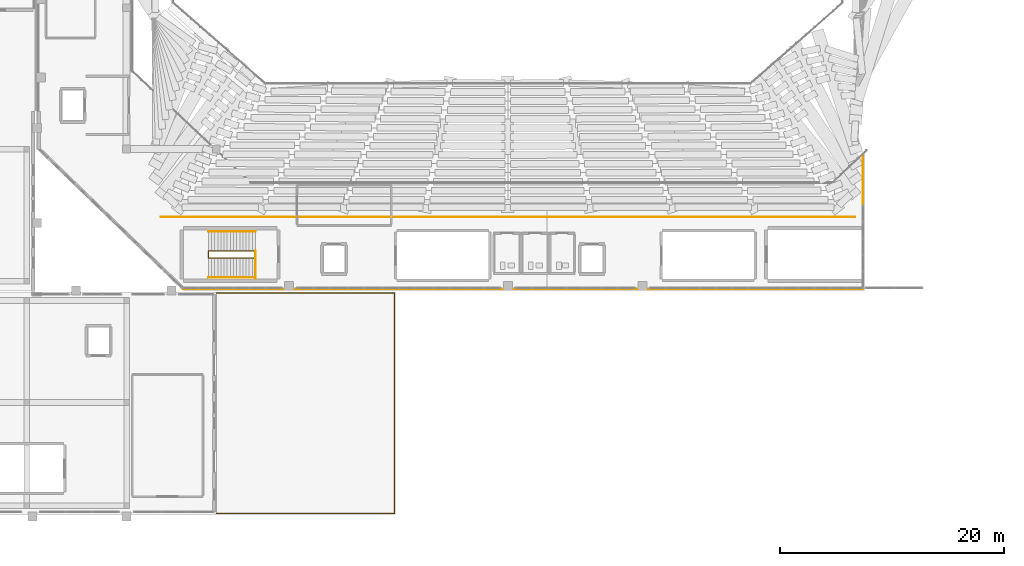
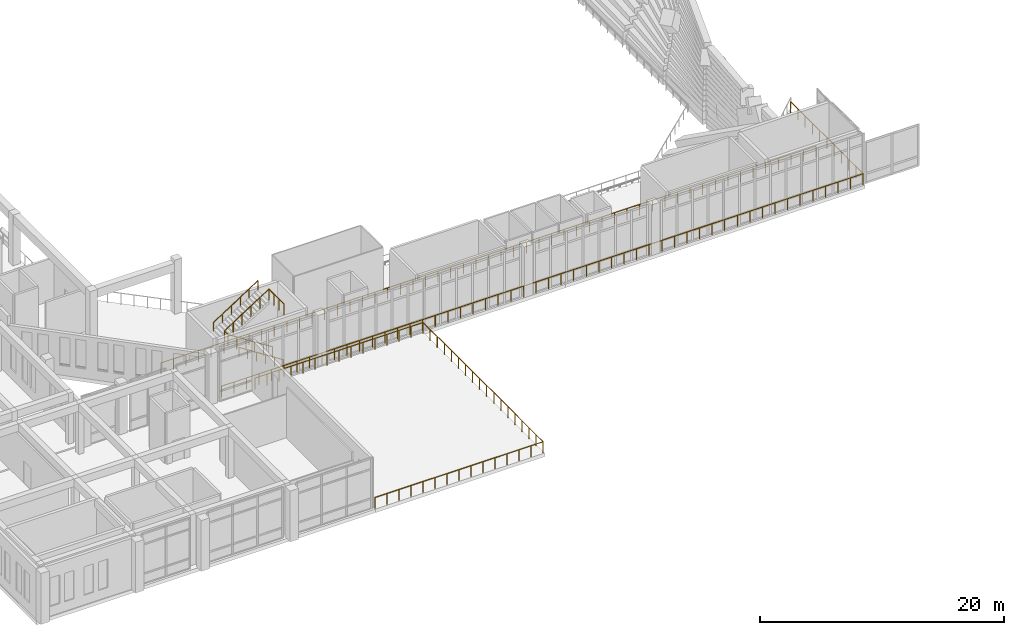
# One storey, part 50 of 55: 7 railings.
"""IFC4 building model written with IfcOpenShell, lengths in metres."""

from ifc_helpers import new_model, si_unit, derived_unit, direction, frame, origin, origin_2d, place, context, subcontext, project, spatial, circle, extrude, material, type_object, element, save


model = new_model("IFC4")

# Units and contexts
model_context = context("Model", 3, precision=1e-05, world=origin(), true_north=direction((0.0, 1.0)))
body_context = subcontext(model_context, "Body", "Model", "MODEL_VIEW")
ifc_project = project(units=[si_unit("LENGTHUNIT", "METRE"), si_unit("AREAUNIT", "SQUARE_METRE"), si_unit("VOLUMEUNIT", "CUBIC_METRE"), si_unit("PLANEANGLEUNIT", "RADIAN"), si_unit("MASSUNIT", "GRAM", prefix="KILO"), derived_unit("THERMALTRANSMITTANCEUNIT", [(si_unit("MASSUNIT", "GRAM", prefix="KILO"), 1), (si_unit("TIMEUNIT", "SECOND"), -3), (si_unit("THERMODYNAMICTEMPERATUREUNIT", "KELVIN"), -1)])], contexts=[model_context])

# Site, building, storey
site_placement = place(None, origin())
site = spatial("IfcSite", under=ifc_project, at=site_placement, CompositionType="ELEMENT")
building_placement = place(site_placement, origin())
building = spatial("IfcBuilding", under=site, at=building_placement, Name="Valcora Ridge Arena", CompositionType="ELEMENT")
storey_placement = place(building_placement, frame((0.0, 0.0, 21.0)))
storey = spatial("IfcBuildingStorey", under=building, at=storey_placement, Name="L04", CompositionType="ELEMENT", Elevation=21.0)

# Railings
ifc_material = material(Name="Galvanized painted steel ASTM A500 Grade B", Category="steel")
railing_type_1 = type_object("IfcRailingType", Name="TY-RAILING-GRD-STAIR-1120", PredefinedType="GUARDRAIL", material=ifc_material)
railing_1_placement = place(storey_placement, frame((35.489990234375, 22.89990234375, 0.0)))
element("IfcRailing", 1, at=railing_1_placement, inside=storey, type_object=railing_type_1, Name="GRD-STAIR-1120 RAL-SG-0011", PredefinedType="GUARDRAIL", context=body_context, shape_type="SweptSolid", body=[
    extrude(circle(Radius=0.02392578125, at=origin_2d()), frame((0.0, 0.0, 1.09619140625), z_axis=(-0.841180064094, 0.0, 0.540755119968), x_axis=(0.0, -1.0, 0.0)), (0.0, 0.0, 1.0), 4.992919921875),
    extrude(circle(Radius=0.02392578125, at=origin_2d()), frame((-4.199951171875, 0.0, 3.7958984375), z_axis=(0.0, 1.0, 0.0), x_axis=(-1.0, 0.0, 0.0)), (0.0, 0.0, 1.0), 0.60009765625),
    extrude(circle(Radius=0.02392578125, at=origin_2d()), frame((-4.199951171875, 0.60009765625, 3.7958984375), z_axis=(0.841180064094, 0.0, 0.540755119968), x_axis=(0.0, 1.0, 0.0)), (0.0, 0.0, 1.0), 4.992919921875),
    extrude(circle(Radius=0.02099609375, at=origin_2d()), origin(), (0.0, 0.0, 1.0), 1.072021484375),
    extrude(circle(Radius=0.02099609375, at=origin_2d()), frame((-0.840087890625, 0.0, 0.5400390625)), (0.0, 0.0, 1.0), 1.072021484375),
    extrude(circle(Radius=0.02099609375, at=origin_2d()), frame((-1.679931640625, 0.0, 1.080078125)), (0.0, 0.0, 1.0), 1.072021484375),
    extrude(circle(Radius=0.02099609375, at=origin_2d()), frame((-2.52001953125, 0.0, 1.619873046875)), (0.0, 0.0, 1.0), 1.072021484375),
    extrude(circle(Radius=0.02099609375, at=origin_2d()), frame((-3.35986328125, 0.0, 2.159912109375)), (0.0, 0.0, 1.0), 1.072021484375),
    extrude(circle(Radius=0.02099609375, at=origin_2d()), frame((-4.199951171875, 0.0, 2.699951171875)), (0.0, 0.0, 1.0), 1.072021484375),
    extrude(circle(Radius=0.02099609375, at=origin_2d()), frame((-4.199951171875, 0.60009765625, 2.699951171875)), (0.0, 0.0, 1.0), 1.072021484375),
    extrude(circle(Radius=0.02099609375, at=origin_2d()), frame((-3.35986328125, 0.60009765625, 3.239990234375)), (0.0, 0.0, 1.0), 1.072021484375),
    extrude(circle(Radius=0.02099609375, at=origin_2d()), frame((-2.52001953125, 0.60009765625, 3.780029296875)), (0.0, 0.0, 1.0), 1.072021484375),
    extrude(circle(Radius=0.02099609375, at=origin_2d()), frame((-1.679931640625, 0.60009765625, 4.31982421875)), (0.0, 0.0, 1.0), 1.072021484375),
    extrude(circle(Radius=0.02099609375, at=origin_2d()), frame((-0.840087890625, 0.60009765625, 4.85986328125)), (0.0, 0.0, 1.0), 1.072021484375),
    extrude(circle(Radius=0.02099609375, at=origin_2d()), frame((0.0, 0.60009765625, 5.39990234375)), (0.0, 0.0, 1.0), 1.072021484375),
])
railing_2_placement = place(storey_placement, frame((35.489990234375, 21.050048828125, 5.39990234375)))
element("IfcRailing", 2, at=railing_2_placement, inside=storey, type_object=railing_type_1, Name="GRD-STAIR-1120 RAL-SG-0012", PredefinedType="GUARDRAIL", context=body_context, shape_type="SweptSolid", body=[
    extrude(circle(Radius=0.02392578125, at=origin_2d()), frame((0.0, 0.0, 1.09619140625), z_axis=(0.0, 1.0, 0.0), x_axis=(-1.0, 0.0, 0.0)), (0.0, 0.0, 1.0), 2.449951171875),
    extrude(circle(Radius=0.02099609375, at=origin_2d()), origin(), (0.0, 0.0, 1.0), 1.072021484375),
    extrude(circle(Radius=0.02099609375, at=origin_2d()), frame((0.0, 0.816650390625, 0.0)), (0.0, 0.0, 1.0), 1.072021484375),
    extrude(circle(Radius=0.02099609375, at=origin_2d()), frame((0.0, 1.63330078125, 0.0)), (0.0, 0.0, 1.0), 1.072021484375),
    extrude(circle(Radius=0.02099609375, at=origin_2d()), frame((0.0, 2.449951171875, 0.0)), (0.0, 0.0, 1.0), 1.072021484375),
])
railing_type_2 = type_object("IfcRailingType", Name="TY-RAILING-GRD-TERR-1120", PredefinedType="GUARDRAIL", material=ifc_material)
railing_3_placement = place(storey_placement, frame((32.0, 0.10009765625, 0.0)))
element("IfcRailing", 3, at=railing_3_placement, inside=storey, type_object=railing_type_2, Name="GRD-TERR-1120 RAL-TR-0003", PredefinedType="GUARDRAIL", context=body_context, shape_type="SweptSolid", body=[
    extrude(circle(Radius=0.02392578125, at=origin_2d()), frame((0.0, 0.0, 1.09619140625), z_axis=(1.0, 0.0, 0.0), x_axis=(0.0, 1.0, 0.0)), (0.0, 0.0, 1.0), 15.89990234375),
    extrude(circle(Radius=0.02392578125, at=origin_2d()), frame((15.89990234375, 0.0, 1.09619140625), z_axis=(0.0, 1.0, 0.0), x_axis=(-1.0, 0.0, 0.0)), (0.0, 0.0, 1.0), 19.64990234375),
    extrude(circle(Radius=0.02392578125, at=origin_2d()), frame((15.89990234375, 19.64990234375, 1.09619140625), z_axis=(-1.0, 0.0, 0.0), x_axis=(0.0, -1.0, 0.0)), (0.0, 0.0, 1.0), 15.89990234375),
    extrude(circle(Radius=0.02099609375, at=origin_2d()), origin(), (0.0, 0.0, 1.0), 1.072021484375),
    extrude(circle(Radius=0.02099609375, at=origin_2d()), frame((1.1357421875, 0.0, 0.0)), (0.0, 0.0, 1.0), 1.072021484375),
    extrude(circle(Radius=0.02099609375, at=origin_2d()), frame((2.271484375, 0.0, 0.0)), (0.0, 0.0, 1.0), 1.072021484375),
    extrude(circle(Radius=0.02099609375, at=origin_2d()), frame((3.4072265625, 0.0, 0.0)), (0.0, 0.0, 1.0), 1.072021484375),
    extrude(circle(Radius=0.02099609375, at=origin_2d()), frame((4.542724609375, 0.0, 0.0)), (0.0, 0.0, 1.0), 1.072021484375),
    extrude(circle(Radius=0.02099609375, at=origin_2d()), frame((5.678466796875, 0.0, 0.0)), (0.0, 0.0, 1.0), 1.072021484375),
    extrude(circle(Radius=0.02099609375, at=origin_2d()), frame((6.814208984375, 0.0, 0.0)), (0.0, 0.0, 1.0), 1.072021484375),
    extrude(circle(Radius=0.02099609375, at=origin_2d()), frame((7.949951171875, 0.0, 0.0)), (0.0, 0.0, 1.0), 1.072021484375),
    extrude(circle(Radius=0.02099609375, at=origin_2d()), frame((9.085693359375, 0.0, 0.0)), (0.0, 0.0, 1.0), 1.072021484375),
    extrude(circle(Radius=0.02099609375, at=origin_2d()), frame((10.221435546875, 0.0, 0.0)), (0.0, 0.0, 1.0), 1.072021484375),
    extrude(circle(Radius=0.02099609375, at=origin_2d()), frame((11.357177734375, 0.0, 0.0)), (0.0, 0.0, 1.0), 1.072021484375),
    extrude(circle(Radius=0.02099609375, at=origin_2d()), frame((12.49267578125, 0.0, 0.0)), (0.0, 0.0, 1.0), 1.072021484375),
    extrude(circle(Radius=0.02099609375, at=origin_2d()), frame((13.62841796875, 0.0, 0.0)), (0.0, 0.0, 1.0), 1.072021484375),
    extrude(circle(Radius=0.02099609375, at=origin_2d()), frame((14.76416015625, 0.0, 0.0)), (0.0, 0.0, 1.0), 1.072021484375),
    extrude(circle(Radius=0.02099609375, at=origin_2d()), frame((15.89990234375, 0.0, 0.0)), (0.0, 0.0, 1.0), 1.072021484375),
    extrude(circle(Radius=0.02099609375, at=origin_2d()), frame((15.89990234375, 1.15576171875, 0.0)), (0.0, 0.0, 1.0), 1.072021484375),
    extrude(circle(Radius=0.02099609375, at=origin_2d()), frame((15.89990234375, 2.311767578125, 0.0)), (0.0, 0.0, 1.0), 1.072021484375),
    extrude(circle(Radius=0.02099609375, at=origin_2d()), frame((15.89990234375, 3.467529296875, 0.0)), (0.0, 0.0, 1.0), 1.072021484375),
    extrude(circle(Radius=0.02099609375, at=origin_2d()), frame((15.89990234375, 4.62353515625, 0.0)), (0.0, 0.0, 1.0), 1.072021484375),
    extrude(circle(Radius=0.02099609375, at=origin_2d()), frame((15.89990234375, 5.779296875, 0.0)), (0.0, 0.0, 1.0), 1.072021484375),
    extrude(circle(Radius=0.02099609375, at=origin_2d()), frame((15.89990234375, 6.935302734375, 0.0)), (0.0, 0.0, 1.0), 1.072021484375),
    extrude(circle(Radius=0.02099609375, at=origin_2d()), frame((15.89990234375, 8.091064453125, 0.0)), (0.0, 0.0, 1.0), 1.072021484375),
    extrude(circle(Radius=0.02099609375, at=origin_2d()), frame((15.89990234375, 9.2470703125, 0.0)), (0.0, 0.0, 1.0), 1.072021484375),
    extrude(circle(Radius=0.02099609375, at=origin_2d()), frame((15.89990234375, 10.40283203125, 0.0)), (0.0, 0.0, 1.0), 1.072021484375),
    extrude(circle(Radius=0.02099609375, at=origin_2d()), frame((15.89990234375, 11.558837890625, 0.0)), (0.0, 0.0, 1.0), 1.072021484375),
    extrude(circle(Radius=0.02099609375, at=origin_2d()), frame((15.89990234375, 12.714599609375, 0.0)), (0.0, 0.0, 1.0), 1.072021484375),
    extrude(circle(Radius=0.02099609375, at=origin_2d()), frame((15.89990234375, 13.87060546875, 0.0)), (0.0, 0.0, 1.0), 1.072021484375),
    extrude(circle(Radius=0.02099609375, at=origin_2d()), frame((15.89990234375, 15.0263671875, 0.0)), (0.0, 0.0, 1.0), 1.072021484375),
    extrude(circle(Radius=0.02099609375, at=origin_2d()), frame((15.89990234375, 16.182373046875, 0.0)), (0.0, 0.0, 1.0), 1.072021484375),
    extrude(circle(Radius=0.02099609375, at=origin_2d()), frame((15.89990234375, 17.338134765625, 0.0)), (0.0, 0.0, 1.0), 1.072021484375),
    extrude(circle(Radius=0.02099609375, at=origin_2d()), frame((15.89990234375, 18.494140625, 0.0)), (0.0, 0.0, 1.0), 1.072021484375),
    extrude(circle(Radius=0.02099609375, at=origin_2d()), frame((15.89990234375, 19.64990234375, 0.0)), (0.0, 0.0, 1.0), 1.072021484375),
    extrude(circle(Radius=0.02099609375, at=origin_2d()), frame((14.76416015625, 19.64990234375, 0.0)), (0.0, 0.0, 1.0), 1.072021484375),
    extrude(circle(Radius=0.02099609375, at=origin_2d()), frame((13.62841796875, 19.64990234375, 0.0)), (0.0, 0.0, 1.0), 1.072021484375),
    extrude(circle(Radius=0.02099609375, at=origin_2d()), frame((12.49267578125, 19.64990234375, 0.0)), (0.0, 0.0, 1.0), 1.072021484375),
    extrude(circle(Radius=0.02099609375, at=origin_2d()), frame((11.357177734375, 19.64990234375, 0.0)), (0.0, 0.0, 1.0), 1.072021484375),
    extrude(circle(Radius=0.02099609375, at=origin_2d()), frame((10.221435546875, 19.64990234375, 0.0)), (0.0, 0.0, 1.0), 1.072021484375),
    extrude(circle(Radius=0.02099609375, at=origin_2d()), frame((9.085693359375, 19.64990234375, 0.0)), (0.0, 0.0, 1.0), 1.072021484375),
    extrude(circle(Radius=0.02099609375, at=origin_2d()), frame((7.949951171875, 19.64990234375, 0.0)), (0.0, 0.0, 1.0), 1.072021484375),
    extrude(circle(Radius=0.02099609375, at=origin_2d()), frame((6.814208984375, 19.64990234375, 0.0)), (0.0, 0.0, 1.0), 1.072021484375),
    extrude(circle(Radius=0.02099609375, at=origin_2d()), frame((5.678466796875, 19.64990234375, 0.0)), (0.0, 0.0, 1.0), 1.072021484375),
    extrude(circle(Radius=0.02099609375, at=origin_2d()), frame((4.542724609375, 19.64990234375, 0.0)), (0.0, 0.0, 1.0), 1.072021484375),
    extrude(circle(Radius=0.02099609375, at=origin_2d()), frame((3.4072265625, 19.64990234375, 0.0)), (0.0, 0.0, 1.0), 1.072021484375),
    extrude(circle(Radius=0.02099609375, at=origin_2d()), frame((2.271484375, 19.64990234375, 0.0)), (0.0, 0.0, 1.0), 1.072021484375),
    extrude(circle(Radius=0.02099609375, at=origin_2d()), frame((1.1357421875, 19.64990234375, 0.0)), (0.0, 0.0, 1.0), 1.072021484375),
    extrude(circle(Radius=0.02099609375, at=origin_2d()), frame((0.0, 19.64990234375, 0.0)), (0.0, 0.0, 1.0), 1.072021484375),
])
railing_type_3 = type_object("IfcRailingType", Name="TY-RAILING-GRD-VOID-1120", PredefinedType="GUARDRAIL", material=ifc_material)
railing_4_placement = place(storey_placement, frame((27.050048828125, 26.550048828125, -0.8798828125)))
element("IfcRailing", 4, at=railing_4_placement, inside=storey, type_object=railing_type_3, Name="GRD-VOID-1120 RAL-BW-0025", PredefinedType="GUARDRAIL", context=body_context, shape_type="SweptSolid", body=[
    extrude(circle(Radius=0.02392578125, at=origin_2d()), frame((0.0, 0.0, 1.09619140625), z_axis=(1.0, 0.0, 0.0), x_axis=(0.0, 1.0, 0.0)), (0.0, 0.0, 1.0), 61.89990234375),
    extrude(circle(Radius=0.02099609375, at=origin_2d()), origin(), (0.0, 0.0, 1.0), 1.072021484375),
    extrude(circle(Radius=0.02099609375, at=origin_2d()), frame((1.1904296875, 0.0, 0.0)), (0.0, 0.0, 1.0), 1.072021484375),
    extrude(circle(Radius=0.02099609375, at=origin_2d()), frame((2.380859375, 0.0, 0.0)), (0.0, 0.0, 1.0), 1.072021484375),
    extrude(circle(Radius=0.02099609375, at=origin_2d()), frame((3.571044921875, 0.0, 0.0)), (0.0, 0.0, 1.0), 1.072021484375),
    extrude(circle(Radius=0.02099609375, at=origin_2d()), frame((4.761474609375, 0.0, 0.0)), (0.0, 0.0, 1.0), 1.072021484375),
    extrude(circle(Radius=0.02099609375, at=origin_2d()), frame((5.951904296875, 0.0, 0.0)), (0.0, 0.0, 1.0), 1.072021484375),
    extrude(circle(Radius=0.02099609375, at=origin_2d()), frame((7.142333984375, 0.0, 0.0)), (0.0, 0.0, 1.0), 1.072021484375),
    extrude(circle(Radius=0.02099609375, at=origin_2d()), frame((8.332763671875, 0.0, 0.0)), (0.0, 0.0, 1.0), 1.072021484375),
    extrude(circle(Radius=0.02099609375, at=origin_2d()), frame((9.52294921875, 0.0, 0.0)), (0.0, 0.0, 1.0), 1.072021484375),
    extrude(circle(Radius=0.02099609375, at=origin_2d()), frame((10.71337890625, 0.0, 0.0)), (0.0, 0.0, 1.0), 1.072021484375),
    extrude(circle(Radius=0.02099609375, at=origin_2d()), frame((11.90380859375, 0.0, 0.0)), (0.0, 0.0, 1.0), 1.072021484375),
    extrude(circle(Radius=0.02099609375, at=origin_2d()), frame((13.09423828125, 0.0, 0.0)), (0.0, 0.0, 1.0), 1.072021484375),
    extrude(circle(Radius=0.02099609375, at=origin_2d()), frame((14.28466796875, 0.0, 0.0)), (0.0, 0.0, 1.0), 1.072021484375),
    extrude(circle(Radius=0.02099609375, at=origin_2d()), frame((15.47509765625, 0.0, 0.0)), (0.0, 0.0, 1.0), 1.072021484375),
    extrude(circle(Radius=0.02099609375, at=origin_2d()), frame((16.665283203125, 0.0, 0.0)), (0.0, 0.0, 1.0), 1.072021484375),
    extrude(circle(Radius=0.02099609375, at=origin_2d()), frame((17.855712890625, 0.0, 0.0)), (0.0, 0.0, 1.0), 1.072021484375),
    extrude(circle(Radius=0.02099609375, at=origin_2d()), frame((19.046142578125, 0.0, 0.0)), (0.0, 0.0, 1.0), 1.072021484375),
    extrude(circle(Radius=0.02099609375, at=origin_2d()), frame((20.236572265625, 0.0, 0.0)), (0.0, 0.0, 1.0), 1.072021484375),
    extrude(circle(Radius=0.02099609375, at=origin_2d()), frame((21.427001953125, 0.0, 0.0)), (0.0, 0.0, 1.0), 1.072021484375),
    extrude(circle(Radius=0.02099609375, at=origin_2d()), frame((22.6171875, 0.0, 0.0)), (0.0, 0.0, 1.0), 1.072021484375),
    extrude(circle(Radius=0.02099609375, at=origin_2d()), frame((23.8076171875, 0.0, 0.0)), (0.0, 0.0, 1.0), 1.072021484375),
    extrude(circle(Radius=0.02099609375, at=origin_2d()), frame((24.998046875, 0.0, 0.0)), (0.0, 0.0, 1.0), 1.072021484375),
    extrude(circle(Radius=0.02099609375, at=origin_2d()), frame((26.1884765625, 0.0, 0.0)), (0.0, 0.0, 1.0), 1.072021484375),
    extrude(circle(Radius=0.02099609375, at=origin_2d()), frame((27.37890625, 0.0, 0.0)), (0.0, 0.0, 1.0), 1.072021484375),
    extrude(circle(Radius=0.02099609375, at=origin_2d()), frame((28.569091796875, 0.0, 0.0)), (0.0, 0.0, 1.0), 1.072021484375),
    extrude(circle(Radius=0.02099609375, at=origin_2d()), frame((29.759521484375, 0.0, 0.0)), (0.0, 0.0, 1.0), 1.072021484375),
    extrude(circle(Radius=0.02099609375, at=origin_2d()), frame((30.949951171875, 0.0, 0.0)), (0.0, 0.0, 1.0), 1.072021484375),
    extrude(circle(Radius=0.02099609375, at=origin_2d()), frame((32.140380859375, 0.0, 0.0)), (0.0, 0.0, 1.0), 1.072021484375),
    extrude(circle(Radius=0.02099609375, at=origin_2d()), frame((33.330810546875, 0.0, 0.0)), (0.0, 0.0, 1.0), 1.072021484375),
    extrude(circle(Radius=0.02099609375, at=origin_2d()), frame((34.52099609375, 0.0, 0.0)), (0.0, 0.0, 1.0), 1.072021484375),
    extrude(circle(Radius=0.02099609375, at=origin_2d()), frame((35.71142578125, 0.0, 0.0)), (0.0, 0.0, 1.0), 1.072021484375),
    extrude(circle(Radius=0.02099609375, at=origin_2d()), frame((36.90185546875, 0.0, 0.0)), (0.0, 0.0, 1.0), 1.072021484375),
    extrude(circle(Radius=0.02099609375, at=origin_2d()), frame((38.09228515625, 0.0, 0.0)), (0.0, 0.0, 1.0), 1.072021484375),
    extrude(circle(Radius=0.02099609375, at=origin_2d()), frame((39.28271484375, 0.0, 0.0)), (0.0, 0.0, 1.0), 1.072021484375),
    extrude(circle(Radius=0.02099609375, at=origin_2d()), frame((40.472900390625, 0.0, 0.0)), (0.0, 0.0, 1.0), 1.072021484375),
    extrude(circle(Radius=0.02099609375, at=origin_2d()), frame((41.663330078125, 0.0, 0.0)), (0.0, 0.0, 1.0), 1.072021484375),
    extrude(circle(Radius=0.02099609375, at=origin_2d()), frame((42.853759765625, 0.0, 0.0)), (0.0, 0.0, 1.0), 1.072021484375),
    extrude(circle(Radius=0.02099609375, at=origin_2d()), frame((44.044189453125, 0.0, 0.0)), (0.0, 0.0, 1.0), 1.072021484375),
    extrude(circle(Radius=0.02099609375, at=origin_2d()), frame((45.234619140625, 0.0, 0.0)), (0.0, 0.0, 1.0), 1.072021484375),
    extrude(circle(Radius=0.02099609375, at=origin_2d()), frame((46.4248046875, 0.0, 0.0)), (0.0, 0.0, 1.0), 1.072021484375),
    extrude(circle(Radius=0.02099609375, at=origin_2d()), frame((47.615234375, 0.0, 0.0)), (0.0, 0.0, 1.0), 1.072021484375),
    extrude(circle(Radius=0.02099609375, at=origin_2d()), frame((48.8056640625, 0.0, 0.0)), (0.0, 0.0, 1.0), 1.072021484375),
    extrude(circle(Radius=0.02099609375, at=origin_2d()), frame((49.99609375, 0.0, 0.0)), (0.0, 0.0, 1.0), 1.072021484375),
    extrude(circle(Radius=0.02099609375, at=origin_2d()), frame((51.1865234375, 0.0, 0.0)), (0.0, 0.0, 1.0), 1.072021484375),
    extrude(circle(Radius=0.02099609375, at=origin_2d()), frame((52.376953125, 0.0, 0.0)), (0.0, 0.0, 1.0), 1.072021484375),
    extrude(circle(Radius=0.02099609375, at=origin_2d()), frame((53.567138671875, 0.0, 0.0)), (0.0, 0.0, 1.0), 1.072021484375),
    extrude(circle(Radius=0.02099609375, at=origin_2d()), frame((54.757568359375, 0.0, 0.0)), (0.0, 0.0, 1.0), 1.072021484375),
    extrude(circle(Radius=0.02099609375, at=origin_2d()), frame((55.947998046875, 0.0, 0.0)), (0.0, 0.0, 1.0), 1.072021484375),
    extrude(circle(Radius=0.02099609375, at=origin_2d()), frame((57.138427734375, 0.0, 0.0)), (0.0, 0.0, 1.0), 1.072021484375),
    extrude(circle(Radius=0.02099609375, at=origin_2d()), frame((58.328857421875, 0.0, 0.0)), (0.0, 0.0, 1.0), 1.072021484375),
    extrude(circle(Radius=0.02099609375, at=origin_2d()), frame((59.51904296875, 0.0, 0.0)), (0.0, 0.0, 1.0), 1.072021484375),
    extrude(circle(Radius=0.02099609375, at=origin_2d()), frame((60.70947265625, 0.0, 0.0)), (0.0, 0.0, 1.0), 1.072021484375),
    extrude(circle(Radius=0.02099609375, at=origin_2d()), frame((61.89990234375, 0.0, 0.0)), (0.0, 0.0, 1.0), 1.072021484375),
])
railing_5_placement = place(storey_placement, frame((89.679931640625, 31.9775390625, 0.0)))
element("IfcRailing", 5, at=railing_5_placement, inside=storey, type_object=railing_type_3, Name="GRD-VOID-1120 RAL-DK-0015", PredefinedType="GUARDRAIL", context=body_context, shape_type="SweptSolid", body=[
    extrude(circle(Radius=0.02392578125, at=origin_2d()), frame((0.0, 0.0, 1.09619140625), z_axis=(0.0, -1.0, 0.0), x_axis=(1.0, 0.0, 0.0)), (0.0, 0.0, 1.0), 11.857421875),
    extrude(circle(Radius=0.02392578125, at=origin_2d()), frame((0.0, -11.857421875, 1.09619140625), z_axis=(-1.0, 0.0, 0.0), x_axis=(0.0, -1.0, 0.0)), (0.0, 0.0, 1.0), 60.63134765625),
    extrude(circle(Radius=0.02099609375, at=origin_2d()), origin(), (0.0, 0.0, 1.0), 1.072021484375),
    extrude(circle(Radius=0.02099609375, at=origin_2d()), frame((0.0, -1.185791015625, 0.0)), (0.0, 0.0, 1.0), 1.072021484375),
    extrude(circle(Radius=0.02099609375, at=origin_2d()), frame((0.0, -2.37158203125, 0.0)), (0.0, 0.0, 1.0), 1.072021484375),
    extrude(circle(Radius=0.02099609375, at=origin_2d()), frame((0.0, -3.55712890625, 0.0)), (0.0, 0.0, 1.0), 1.072021484375),
    extrude(circle(Radius=0.02099609375, at=origin_2d()), frame((0.0, -4.742919921875, 0.0)), (0.0, 0.0, 1.0), 1.072021484375),
    extrude(circle(Radius=0.02099609375, at=origin_2d()), frame((0.0, -5.9287109375, 0.0)), (0.0, 0.0, 1.0), 1.072021484375),
    extrude(circle(Radius=0.02099609375, at=origin_2d()), frame((0.0, -7.114501953125, 0.0)), (0.0, 0.0, 1.0), 1.072021484375),
    extrude(circle(Radius=0.02099609375, at=origin_2d()), frame((0.0, -8.30029296875, 0.0)), (0.0, 0.0, 1.0), 1.072021484375),
    extrude(circle(Radius=0.02099609375, at=origin_2d()), frame((0.0, -9.48583984375, 0.0)), (0.0, 0.0, 1.0), 1.072021484375),
    extrude(circle(Radius=0.02099609375, at=origin_2d()), frame((0.0, -10.671630859375, 0.0)), (0.0, 0.0, 1.0), 1.072021484375),
    extrude(circle(Radius=0.02099609375, at=origin_2d()), frame((0.0, -11.857421875, 0.0)), (0.0, 0.0, 1.0), 1.072021484375),
    extrude(circle(Radius=0.02099609375, at=origin_2d()), frame((-1.18896484375, -11.857421875, 0.0)), (0.0, 0.0, 1.0), 1.072021484375),
    extrude(circle(Radius=0.02099609375, at=origin_2d()), frame((-2.377685546875, -11.857421875, 0.0)), (0.0, 0.0, 1.0), 1.072021484375),
    extrude(circle(Radius=0.02099609375, at=origin_2d()), frame((-3.566650390625, -11.857421875, 0.0)), (0.0, 0.0, 1.0), 1.072021484375),
    extrude(circle(Radius=0.02099609375, at=origin_2d()), frame((-4.75537109375, -11.857421875, 0.0)), (0.0, 0.0, 1.0), 1.072021484375),
    extrude(circle(Radius=0.02099609375, at=origin_2d()), frame((-5.9443359375, -11.857421875, 0.0)), (0.0, 0.0, 1.0), 1.072021484375),
    extrude(circle(Radius=0.02099609375, at=origin_2d()), frame((-7.133056640625, -11.857421875, 0.0)), (0.0, 0.0, 1.0), 1.072021484375),
    extrude(circle(Radius=0.02099609375, at=origin_2d()), frame((-8.322021484375, -11.857421875, 0.0)), (0.0, 0.0, 1.0), 1.072021484375),
    extrude(circle(Radius=0.02099609375, at=origin_2d()), frame((-9.5107421875, -11.857421875, 0.0)), (0.0, 0.0, 1.0), 1.072021484375),
    extrude(circle(Radius=0.02099609375, at=origin_2d()), frame((-10.69970703125, -11.857421875, 0.0)), (0.0, 0.0, 1.0), 1.072021484375),
    extrude(circle(Radius=0.02099609375, at=origin_2d()), frame((-11.888427734375, -11.857421875, 0.0)), (0.0, 0.0, 1.0), 1.072021484375),
    extrude(circle(Radius=0.02099609375, at=origin_2d()), frame((-13.077392578125, -11.857421875, 0.0)), (0.0, 0.0, 1.0), 1.072021484375),
    extrude(circle(Radius=0.02099609375, at=origin_2d()), frame((-14.26611328125, -11.857421875, 0.0)), (0.0, 0.0, 1.0), 1.072021484375),
    extrude(circle(Radius=0.02099609375, at=origin_2d()), frame((-15.455078125, -11.857421875, 0.0)), (0.0, 0.0, 1.0), 1.072021484375),
    extrude(circle(Radius=0.02099609375, at=origin_2d()), frame((-16.643798828125, -11.857421875, 0.0)), (0.0, 0.0, 1.0), 1.072021484375),
    extrude(circle(Radius=0.02099609375, at=origin_2d()), frame((-17.832763671875, -11.857421875, 0.0)), (0.0, 0.0, 1.0), 1.072021484375),
    extrude(circle(Radius=0.02099609375, at=origin_2d()), frame((-19.021484375, -11.857421875, 0.0)), (0.0, 0.0, 1.0), 1.072021484375),
    extrude(circle(Radius=0.02099609375, at=origin_2d()), frame((-20.21044921875, -11.857421875, 0.0)), (0.0, 0.0, 1.0), 1.072021484375),
    extrude(circle(Radius=0.02099609375, at=origin_2d()), frame((-21.3994140625, -11.857421875, 0.0)), (0.0, 0.0, 1.0), 1.072021484375),
    extrude(circle(Radius=0.02099609375, at=origin_2d()), frame((-22.588134765625, -11.857421875, 0.0)), (0.0, 0.0, 1.0), 1.072021484375),
    extrude(circle(Radius=0.02099609375, at=origin_2d()), frame((-23.777099609375, -11.857421875, 0.0)), (0.0, 0.0, 1.0), 1.072021484375),
    extrude(circle(Radius=0.02099609375, at=origin_2d()), frame((-24.9658203125, -11.857421875, 0.0)), (0.0, 0.0, 1.0), 1.072021484375),
    extrude(circle(Radius=0.02099609375, at=origin_2d()), frame((-26.15478515625, -11.857421875, 0.0)), (0.0, 0.0, 1.0), 1.072021484375),
    extrude(circle(Radius=0.02099609375, at=origin_2d()), frame((-27.343505859375, -11.857421875, 0.0)), (0.0, 0.0, 1.0), 1.072021484375),
    extrude(circle(Radius=0.02099609375, at=origin_2d()), frame((-28.532470703125, -11.857421875, 0.0)), (0.0, 0.0, 1.0), 1.072021484375),
    extrude(circle(Radius=0.02099609375, at=origin_2d()), frame((-29.72119140625, -11.857421875, 0.0)), (0.0, 0.0, 1.0), 1.072021484375),
    extrude(circle(Radius=0.02099609375, at=origin_2d()), frame((-30.91015625, -11.857421875, 0.0)), (0.0, 0.0, 1.0), 1.072021484375),
    extrude(circle(Radius=0.02099609375, at=origin_2d()), frame((-32.098876953125, -11.857421875, 0.0)), (0.0, 0.0, 1.0), 1.072021484375),
    extrude(circle(Radius=0.02099609375, at=origin_2d()), frame((-33.287841796875, -11.857421875, 0.0)), (0.0, 0.0, 1.0), 1.072021484375),
    extrude(circle(Radius=0.02099609375, at=origin_2d()), frame((-34.4765625, -11.857421875, 0.0)), (0.0, 0.0, 1.0), 1.072021484375),
    extrude(circle(Radius=0.02099609375, at=origin_2d()), frame((-35.66552734375, -11.857421875, 0.0)), (0.0, 0.0, 1.0), 1.072021484375),
    extrude(circle(Radius=0.02099609375, at=origin_2d()), frame((-36.854248046875, -11.857421875, 0.0)), (0.0, 0.0, 1.0), 1.072021484375),
    extrude(circle(Radius=0.02099609375, at=origin_2d()), frame((-38.043212890625, -11.857421875, 0.0)), (0.0, 0.0, 1.0), 1.072021484375),
    extrude(circle(Radius=0.02099609375, at=origin_2d()), frame((-39.23193359375, -11.857421875, 0.0)), (0.0, 0.0, 1.0), 1.072021484375),
    extrude(circle(Radius=0.02099609375, at=origin_2d()), frame((-40.4208984375, -11.857421875, 0.0)), (0.0, 0.0, 1.0), 1.072021484375),
    extrude(circle(Radius=0.02099609375, at=origin_2d()), frame((-41.60986328125, -11.857421875, 0.0)), (0.0, 0.0, 1.0), 1.072021484375),
    extrude(circle(Radius=0.02099609375, at=origin_2d()), frame((-42.798583984375, -11.857421875, 0.0)), (0.0, 0.0, 1.0), 1.072021484375),
    extrude(circle(Radius=0.02099609375, at=origin_2d()), frame((-43.987548828125, -11.857421875, 0.0)), (0.0, 0.0, 1.0), 1.072021484375),
    extrude(circle(Radius=0.02099609375, at=origin_2d()), frame((-45.17626953125, -11.857421875, 0.0)), (0.0, 0.0, 1.0), 1.072021484375),
    extrude(circle(Radius=0.02099609375, at=origin_2d()), frame((-46.365234375, -11.857421875, 0.0)), (0.0, 0.0, 1.0), 1.072021484375),
    extrude(circle(Radius=0.02099609375, at=origin_2d()), frame((-47.553955078125, -11.857421875, 0.0)), (0.0, 0.0, 1.0), 1.072021484375),
    extrude(circle(Radius=0.02099609375, at=origin_2d()), frame((-48.742919921875, -11.857421875, 0.0)), (0.0, 0.0, 1.0), 1.072021484375),
    extrude(circle(Radius=0.02099609375, at=origin_2d()), frame((-49.931640625, -11.857421875, 0.0)), (0.0, 0.0, 1.0), 1.072021484375),
    extrude(circle(Radius=0.02099609375, at=origin_2d()), frame((-51.12060546875, -11.857421875, 0.0)), (0.0, 0.0, 1.0), 1.072021484375),
    extrude(circle(Radius=0.02099609375, at=origin_2d()), frame((-52.309326171875, -11.857421875, 0.0)), (0.0, 0.0, 1.0), 1.072021484375),
    extrude(circle(Radius=0.02099609375, at=origin_2d()), frame((-53.498291015625, -11.857421875, 0.0)), (0.0, 0.0, 1.0), 1.072021484375),
    extrude(circle(Radius=0.02099609375, at=origin_2d()), frame((-54.68701171875, -11.857421875, 0.0)), (0.0, 0.0, 1.0), 1.072021484375),
    extrude(circle(Radius=0.02099609375, at=origin_2d()), frame((-55.8759765625, -11.857421875, 0.0)), (0.0, 0.0, 1.0), 1.072021484375),
    extrude(circle(Radius=0.02099609375, at=origin_2d()), frame((-57.064697265625, -11.857421875, 0.0)), (0.0, 0.0, 1.0), 1.072021484375),
    extrude(circle(Radius=0.02099609375, at=origin_2d()), frame((-58.253662109375, -11.857421875, 0.0)), (0.0, 0.0, 1.0), 1.072021484375),
    extrude(circle(Radius=0.02099609375, at=origin_2d()), frame((-59.4423828125, -11.857421875, 0.0)), (0.0, 0.0, 1.0), 1.072021484375),
    extrude(circle(Radius=0.02099609375, at=origin_2d()), frame((-60.63134765625, -11.857421875, 0.0)), (0.0, 0.0, 1.0), 1.072021484375),
])
railing_type_4 = type_object("IfcRailingType", Name="TY-RAILING-HR-STAIR-900", PredefinedType="HANDRAIL", material=ifc_material)
railing_6_placement = place(storey_placement, frame((35.489990234375, 21.139892578125, 0.0)))
element("IfcRailing", 6, at=railing_6_placement, inside=storey, type_object=railing_type_4, Name="HR-STAIR-900 RAL-SH-0011", PredefinedType="HANDRAIL", context=body_context, shape_type="SweptSolid", body=[
    extrude(circle(Radius=0.02392578125, at=origin_2d()), frame((0.0, 0.0, 0.8759765625), z_axis=(-0.841180064094, 0.0, 0.540755119968), x_axis=(0.0, -1.0, 0.0)), (0.0, 0.0, 1.0), 4.992919921875),
    extrude(circle(Radius=0.02099609375, at=origin_2d()), origin(), (0.0, 0.0, 1.0), 0.851806640625),
    extrude(circle(Radius=0.02099609375, at=origin_2d()), frame((-0.840087890625, 0.0, 0.5400390625)), (0.0, 0.0, 1.0), 0.851806640625),
    extrude(circle(Radius=0.02099609375, at=origin_2d()), frame((-1.679931640625, 0.0, 1.080078125)), (0.0, 0.0, 1.0), 0.851806640625),
    extrude(circle(Radius=0.02099609375, at=origin_2d()), frame((-2.52001953125, 0.0, 1.619873046875)), (0.0, 0.0, 1.0), 0.851806640625),
    extrude(circle(Radius=0.02099609375, at=origin_2d()), frame((-3.35986328125, 0.0, 2.159912109375)), (0.0, 0.0, 1.0), 0.851806640625),
    extrude(circle(Radius=0.02099609375, at=origin_2d()), frame((-4.199951171875, 0.0, 2.699951171875)), (0.0, 0.0, 1.0), 0.851806640625),
])
railing_7_placement = place(storey_placement, frame((31.2900390625, 25.260009765625, 2.699951171875)))
element("IfcRailing", 7, at=railing_7_placement, inside=storey, type_object=railing_type_4, Name="HR-STAIR-900 RAL-SH-0012", PredefinedType="HANDRAIL", context=body_context, shape_type="SweptSolid", body=[
    extrude(circle(Radius=0.02392578125, at=origin_2d()), frame((0.0, 0.0, 0.8759765625), z_axis=(0.841180064094, 0.0, 0.540755119968), x_axis=(0.0, 1.0, 0.0)), (0.0, 0.0, 1.0), 4.992919921875),
    extrude(circle(Radius=0.02099609375, at=origin_2d()), origin(), (0.0, 0.0, 1.0), 0.851806640625),
    extrude(circle(Radius=0.02099609375, at=origin_2d()), frame((0.840087890625, 0.0, 0.5400390625)), (0.0, 0.0, 1.0), 0.851806640625),
    extrude(circle(Radius=0.02099609375, at=origin_2d()), frame((1.679931640625, 0.0, 1.080078125)), (0.0, 0.0, 1.0), 0.851806640625),
    extrude(circle(Radius=0.02099609375, at=origin_2d()), frame((2.52001953125, 0.0, 1.619873046875)), (0.0, 0.0, 1.0), 0.851806640625),
    extrude(circle(Radius=0.02099609375, at=origin_2d()), frame((3.35986328125, 0.0, 2.159912109375)), (0.0, 0.0, 1.0), 0.851806640625),
    extrude(circle(Radius=0.02099609375, at=origin_2d()), frame((4.199951171875, 0.0, 2.699951171875)), (0.0, 0.0, 1.0), 0.851806640625),
])

save(model, "model.ifc")
